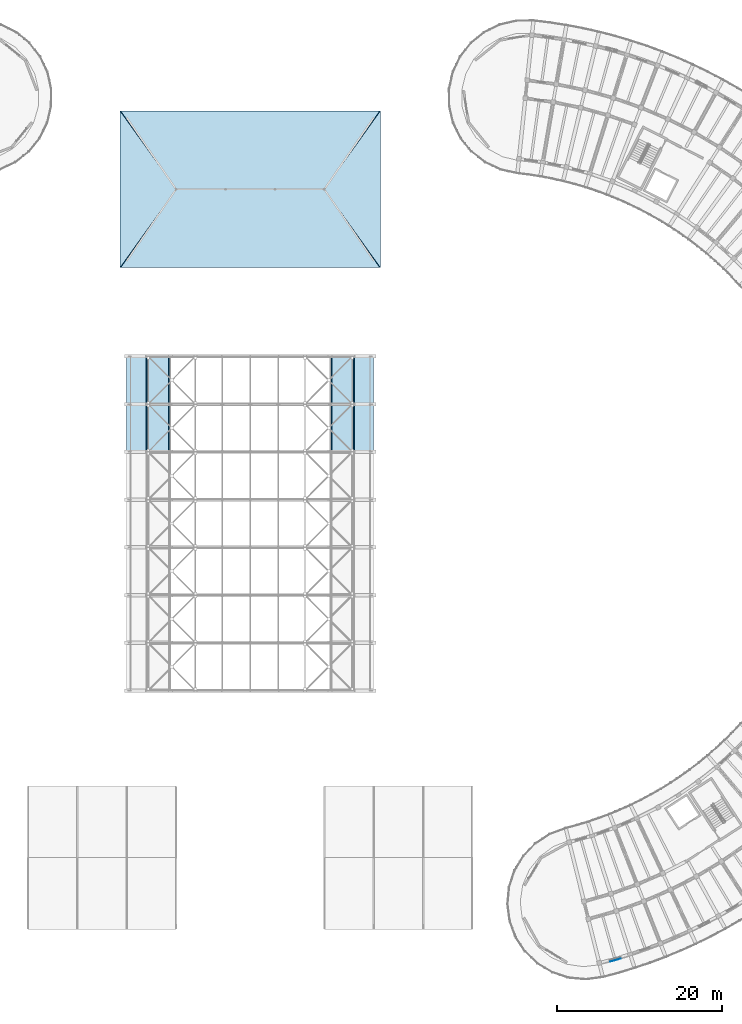
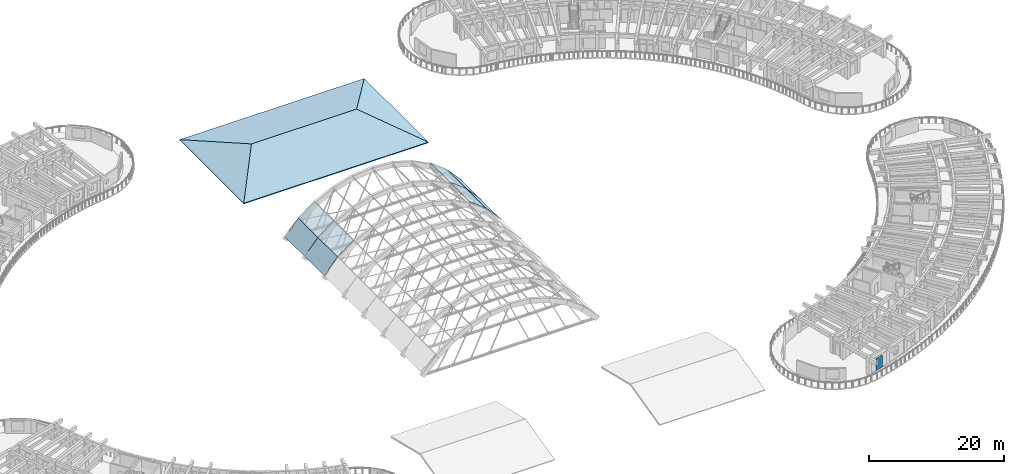
# One storey, part 29 of 81: 12 slabs, 1 plate.
"""IFC4 building model written with IfcOpenShell, lengths in metres."""

from ifc_helpers import new_model, si_unit, direction, frame, origin, origin_2d, place, context, subcontext, project, spatial, polyline, rectangle, outline, extrude, material, layer, layer_set, type_object, element, save


model = new_model("IFC4")

# Units and contexts
model_context = context("Model", 3, precision=1e-05, world=origin(), true_north=direction((0.0, 1.0)))
body_context = subcontext(model_context, "Body", "Model", "MODEL_VIEW")
ifc_project = project(units=[si_unit("LENGTHUNIT", "METRE"), si_unit("AREAUNIT", "SQUARE_METRE"), si_unit("VOLUMEUNIT", "CUBIC_METRE"), si_unit("PLANEANGLEUNIT", "RADIAN"), si_unit("MASSUNIT", "GRAM", prefix="KILO")], contexts=[model_context])

# Site, building, storey
site_placement = place(None, origin())
site = spatial("IfcSite", under=ifc_project, at=site_placement, CompositionType="ELEMENT")
building_placement = place(site_placement, origin())
building = spatial("IfcBuilding", under=site, at=building_placement, Name="Tanwirah Colonnade Gardens", CompositionType="ELEMENT")
storey_placement = place(building_placement, frame((0.0, 0.0, 8.840087890625)))
storey = spatial("IfcBuildingStorey", under=building, at=storey_placement, Name="L02", CompositionType="ELEMENT", Elevation=8.840087890625)

# Plate
ifc_material_1 = material(Name="Laser-cut bronze aluminium solar screen plate", Category="aluminium")
ifc_layer_1 = layer(ifc_material_1, 0.02001953125)
ifc_layer_set_1 = layer_set([ifc_layer_1], Name="Laser-cut bronze aluminium solar screen plate")
plate_type = type_object("IfcPlateType", Name="PLT-SCR20", PredefinedType="SHEET", material=ifc_layer_set_1)
plate_placement = place(storey_placement, frame((137.382568359375, 7.057373046875, 0.0), z_axis=(0.0, 0.0, 1.0), x_axis=(0.961860770803, 0.273539499139, 0.0)))
element("IfcPlate", 1, at=plate_placement, inside=storey, type_object=plate_type, Name="Perforated solar screen plate D-L02-00", PredefinedType="SHEET", context=body_context, shape_type="SweptSolid", body=[
    extrude(rectangle(XDim=1.35009765625, YDim=0.02001953125, at=origin_2d()), origin(), (0.0, 0.0, 1.0), 2.2099609375),
])

# Slabs
ifc_material_2 = material(Name="Precast concrete C40/50", Category="concrete")
ifc_layer_2 = layer(ifc_material_2, 0.195068359375)
ifc_layer_set_2 = layer_set([ifc_layer_2], Name="Precast concrete C40/50")
slab_type_1 = type_object("IfcSlabType", Name="RF-HIP-195", PredefinedType="ROOF", material=ifc_layer_set_2)
for number, where, z_axis, x_axis, name in (
    (2, (77.199951171875, 91.199951171875, 0.0), (0.0, -0.263962560071, 0.9645329268), (1.0, 0.0, 0.0), "Nursery Hipped Roof Slope SOUTH"),
    (3, (108.800048828125, 110.199951171875, 0.0), (0.0, 0.263962560071, 0.9645329268), (-1.0, 0.0, 0.0), "Nursery Hipped Roof Slope NORTH"),
):
    element("IfcSlab", number, at=place(storey_placement, frame(where, z_axis=z_axis, x_axis=x_axis)), inside=storey, type_object=slab_type_1, Name=name, PredefinedType="ROOF", context=body_context, shape_type="SweptSolid", body=[
        extrude(outline(polyline([(0.0, 0.0), (31.60009765625, 0.0), (24.800048828125, 9.849326794390958), (6.800048828125, 9.849326794390958), (0.0, 0.0)])), origin(), (0.0, 0.0, -1.0), 0.195068359375),
    ])
for number, where, z_axis, x_axis, name in (
    (4, (77.199951171875, 110.199951171875, 0.0), (-0.357117674017, 0.0, 0.934059402235), (0.0, -1.0, 0.0), "Nursery Hipped Roof Slope WEST"),
    (5, (108.800048828125, 91.199951171875, 0.0), (0.357117674017, 0.0, 0.934059402235), (0.0, 1.0, 0.0), "Nursery Hipped Roof Slope EAST"),
):
    element("IfcSlab", number, at=place(storey_placement, frame(where, z_axis=z_axis, x_axis=x_axis)), inside=storey, type_object=slab_type_1, Name=name, PredefinedType="ROOF", context=body_context, shape_type="SweptSolid", body=[
        extrude(outline(polyline([(0.0, 0.0), (19.0, 0.0), (9.5, 7.280103183856109), (0.0, 0.0)])), origin(), (0.0, 0.0, -1.0), 0.195068359375),
    ])
ifc_material_3 = material(Name="Precast concrete C45/55", Category="concrete")
ifc_layer_3 = layer(ifc_material_3, 0.179931640625)
ifc_layer_set_3 = layer_set([ifc_layer_3], Name="Precast concrete C45/55")
slab_type_2 = type_object("IfcSlabType", Name="RF-VAULT-180", PredefinedType="ROOF", material=ifc_layer_set_3)
slab_1_placement = place(storey_placement, frame((78.0, 68.800048828125, 0.179931640625), z_axis=(-0.747401587134, 0.0, 0.664372536721), x_axis=(0.664372536721, 0.0, 0.747401587134)))
element("IfcSlab", 6, at=slab_1_placement, inside=storey, type_object=slab_type_2, Name="Community Hall Barrel Vault Roof Strip 6.1", PredefinedType="ROOF", context=body_context, shape_type="SweptSolid", body=[
    extrude(outline(polyline([(0.0, 0.0), (3.4844026179566248, 0.0), (3.4844026179566248, 5.800048828125), (0.0, 5.800048828125), (0.0, 0.0)])), origin(), (0.0, 0.0, -1.0), 0.179931640625),
])
for number, where, z_axis, x_axis, name in (
    (7, (80.31494140625, 68.800048828125, 2.7841796875), (-0.610374176257, 0.0, 0.79211322736), (0.79211322736, 0.0, 0.610374176257), "Community Hall Barrel Vault Roof Strip 6.2"),
    (8, (102.9248046875, 68.800048828125, 4.9111328125), (0.610374176257, 0.0, 0.79211322736), (0.79211322736, 0.0, -0.610374176257), "Community Hall Barrel Vault Roof Strip 6.9"),
):
    element("IfcSlab", number, at=place(storey_placement, frame(where, z_axis=z_axis, x_axis=x_axis)), inside=storey, type_object=slab_type_2, Name=name, PredefinedType="ROOF", context=body_context, shape_type="SweptSolid", body=[
        extrude(outline(polyline([(0.0, 0.0), (3.4846708916217106, 0.0), (3.4846708916217106, 5.800048828125), (0.0, 5.800048828125), (0.0, 0.0)])), origin(), (0.0, 0.0, -1.0), 0.179931640625),
    ])
slab_2_placement = place(storey_placement, frame((105.68505859375, 68.800048828125, 2.7841796875), z_axis=(0.747401587134, 0.0, 0.664372536721), x_axis=(0.664372536721, 0.0, -0.747401587134)))
element("IfcSlab", 9, at=slab_2_placement, inside=storey, type_object=slab_type_2, Name="Community Hall Barrel Vault Roof Strip 6.10", PredefinedType="ROOF", context=body_context, shape_type="SweptSolid", body=[
    extrude(outline(polyline([(0.0, 0.0), (3.4844026179566248, 0.0), (3.4844026179566248, 5.800048828125), (0.0, 5.800048828125), (0.0, 0.0)])), origin(), (0.0, 0.0, -1.0), 0.179931640625),
])
slab_3_placement = place(storey_placement, frame((78.0, 74.60009765625, 0.179931640625), z_axis=(-0.747401587134, 0.0, 0.664372536721), x_axis=(0.664372536721, 0.0, 0.747401587134)))
element("IfcSlab", 10, at=slab_3_placement, inside=storey, type_object=slab_type_2, Name="Community Hall Barrel Vault Roof Strip 7.1", PredefinedType="ROOF", context=body_context, shape_type="SweptSolid", body=[
    extrude(outline(polyline([(0.0, 0.0), (3.4844026179566248, 0.0), (3.4844026179566248, 5.799804687499999), (0.0, 5.799804687499999), (0.0, 0.0)])), origin(), (0.0, 0.0, -1.0), 0.179931640625),
])
for number, where, z_axis, x_axis, name in (
    (11, (80.31494140625, 74.60009765625, 2.7841796875), (-0.610374176257, 0.0, 0.79211322736), (0.79211322736, 0.0, 0.610374176257), "Community Hall Barrel Vault Roof Strip 7.2"),
    (12, (102.9248046875, 74.60009765625, 4.9111328125), (0.610374176257, 0.0, 0.79211322736), (0.79211322736, 0.0, -0.610374176257), "Community Hall Barrel Vault Roof Strip 7.9"),
):
    element("IfcSlab", number, at=place(storey_placement, frame(where, z_axis=z_axis, x_axis=x_axis)), inside=storey, type_object=slab_type_2, Name=name, PredefinedType="ROOF", context=body_context, shape_type="SweptSolid", body=[
        extrude(outline(polyline([(0.0, 0.0), (3.4846708916217106, 0.0), (3.4846708916217106, 5.7998046875), (0.0, 5.7998046875), (0.0, 0.0)])), origin(), (0.0, 0.0, -1.0), 0.179931640625),
    ])
slab_4_placement = place(storey_placement, frame((105.68505859375, 74.60009765625, 2.7841796875), z_axis=(0.747401587134, 0.0, 0.664372536721), x_axis=(0.664372536721, 0.0, -0.747401587134)))
element("IfcSlab", 13, at=slab_4_placement, inside=storey, type_object=slab_type_2, Name="Community Hall Barrel Vault Roof Strip 7.10", PredefinedType="ROOF", context=body_context, shape_type="SweptSolid", body=[
    extrude(outline(polyline([(0.0, 0.0), (3.4844026179566248, 0.0), (3.4844026179566248, 5.799804687499999), (0.0, 5.799804687499999), (0.0, 0.0)])), origin(), (0.0, 0.0, -1.0), 0.179931640625),
])

save(model, "model.ifc")
